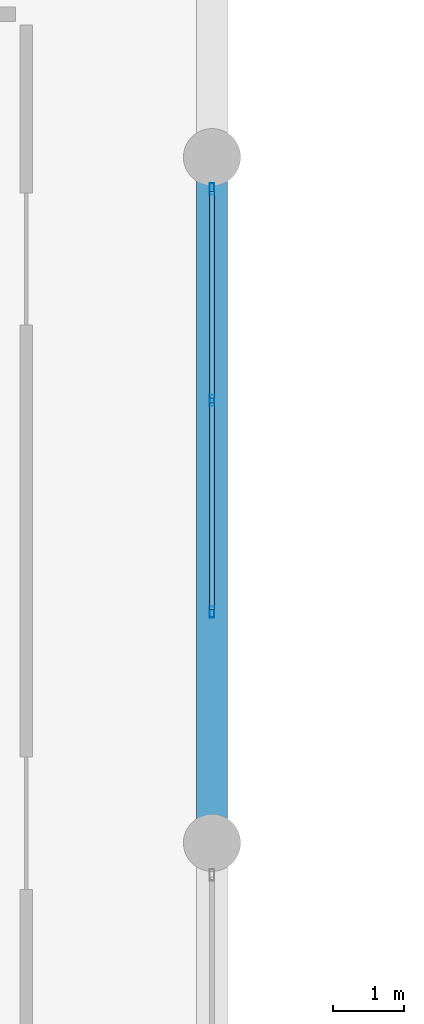
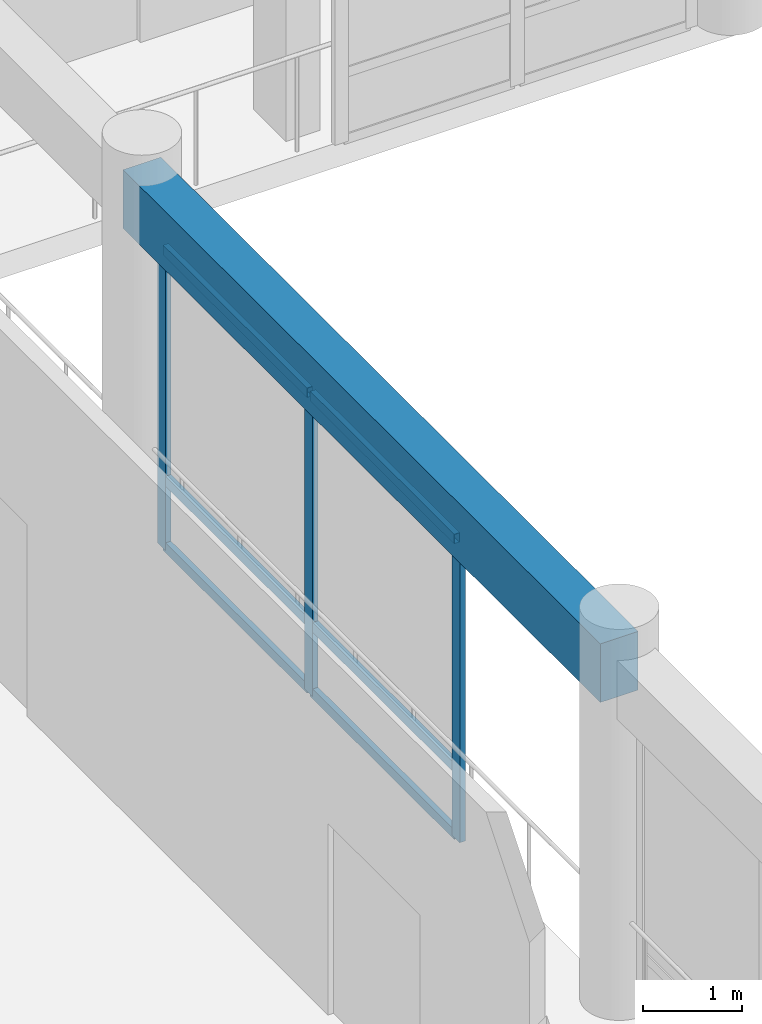
# One storey, part 34 of 133: 9 members, 1 beam, 1 element without a shape of its own.
"""IFC4 building model written with IfcOpenShell, lengths in metres."""

from ifc_helpers import new_model, si_unit, direction, frame, origin, origin_2d, place, context, subcontext, project, spatial, rectangle, hollow_rectangle, extrude, material, layer, layer_set, material_profile, profile_set, type_object, element, aggregate, save


model = new_model("IFC4")

# Units and contexts
model_context = context("Model", 3, precision=1e-05, world=origin(), true_north=direction((0.0, 1.0)))
body_context = subcontext(model_context, "Body", "Model", "MODEL_VIEW")
ifc_project = project(units=[si_unit("LENGTHUNIT", "METRE"), si_unit("AREAUNIT", "SQUARE_METRE"), si_unit("VOLUMEUNIT", "CUBIC_METRE"), si_unit("PLANEANGLEUNIT", "RADIAN"), si_unit("MASSUNIT", "GRAM", prefix="KILO")], contexts=[model_context])

# Site, building, storey
site_placement = place(None, origin())
site = spatial("IfcSite", under=ifc_project, at=site_placement, CompositionType="ELEMENT")
building_placement = place(site_placement, origin())
building = spatial("IfcBuilding", under=site, at=building_placement, Name="Nakhvara Creek Congress Hotel", CompositionType="ELEMENT")
storey_placement = place(building_placement, frame((0.0, 0.0, 11.39990234375)))
storey = spatial("IfcBuildingStorey", under=building, at=storey_placement, Name="L02", CompositionType="ELEMENT", Elevation=11.39990234375)

# Beam
ifc_material_1 = material(Name="Concrete C40/50", Category="concrete")
ifc_material_profile_1 = material_profile(ifc_material_1, rectangle(XDim=0.43994140625, YDim=0.719970703125, at=origin_2d()), Name="RC-BM 440x720", Category="LoadBearing")
ifc_profile_set_1 = profile_set([ifc_material_profile_1], Name="Concrete C40/50")
beam_type = type_object("IfcBeamType", Name="BM-RC-440X720", PredefinedType="BEAM", material=ifc_profile_set_1)
beam_placement = place(storey_placement, frame((76.800048828125, 62.39990234375, 4.06005859375), z_axis=(0.0, 1.0, 0.0), x_axis=(-1.0, 0.0, 0.0)))
element("IfcBeam", 1, at=beam_placement, inside=storey, type_object=beam_type, Name="Beam B12-L02-1459", PredefinedType="BEAM", context=body_context, shape_type="SweptSolid", body=[
    extrude(rectangle(XDim=0.43994140625, YDim=0.719970703125, at=origin_2d()), origin(), (0.0, 0.0, 1.0), 9.60009765625),
])

# Curtain wall, members
ifc_material_2 = material(Name="Bronze-anodised aluminium AW-6063-T6 and double-silver low-E glass", Category="aluminium")
ifc_layer = layer(ifc_material_2, 0.199951171875)
ifc_layer_set = layer_set([ifc_layer], Name="Bronze-anodised aluminium AW-6063-T6 and double-silver low-E glass")
curtain_wall_type = type_object("IfcCurtainWallType", Name="CW-POD-STICK", PredefinedType="NOTDEFINED", material=ifc_layer_set)
curtain_wall_placement = place(storey_placement, origin())
curtain_wall = element("IfcCurtainWall", 2, at=curtain_wall_placement, inside=storey, type_object=curtain_wall_type, Name="Curtain Wall CW047", PredefinedType="NOTDEFINED")
ifc_material_3 = material(Name="Bronze-anodised aluminium AW-6063-T6", Category="aluminium")
ifc_material_profile_2 = material_profile(ifc_material_3, hollow_rectangle(XDim=0.06494140625, YDim=0.159912109375, WallThickness=0.00390625, at=origin_2d()), Name="ALU-MULL 65x160x4", Category="LoadBearing")
ifc_profile_set_2 = profile_set([ifc_material_profile_2], Name="Bronze-anodised aluminium AW-6063-T6")
member_type_1 = type_object("IfcMemberType", Name="CW-MULL-160", PredefinedType="MULLION", material=ifc_profile_set_2)
member_1_placement = place(storey_placement, frame((76.800048828125, 71.552490234375, 0.0), z_axis=(0.0, 0.0, 1.0), x_axis=(1.0, 0.0, 0.0)))
member_1 = element("IfcMember", 3, at=member_1_placement, type_object=member_type_1, Name="CW047 mullion 1", PredefinedType="MULLION", context=body_context, shape_type="SweptSolid", body=[
    extrude(hollow_rectangle(XDim=0.06494140625, YDim=0.159912109375, WallThickness=0.00390625, at=origin_2d()), origin(), (0.0, 0.0, 1.0), 3.692138671875),
])
member_2_placement = place(storey_placement, frame((76.800048828125, 68.592529296875, 0.0), z_axis=(0.0, 0.0, 1.0), x_axis=(1.0, 0.0, 0.0)))
member_2 = element("IfcMember", 4, at=member_2_placement, type_object=member_type_1, Name="CW047 mullion 2", PredefinedType="MULLION", context=body_context, shape_type="SweptSolid", body=[
    extrude(hollow_rectangle(XDim=0.06494140625, YDim=0.159912109375, WallThickness=0.00390625, at=origin_2d()), origin(), (0.0, 0.0, 1.0), 3.692138671875),
])
member_3_placement = place(storey_placement, frame((76.800048828125, 65.632568359375, 0.0), z_axis=(0.0, 0.0, 1.0), x_axis=(1.0, 0.0, 0.0)))
member_3 = element("IfcMember", 5, at=member_3_placement, type_object=member_type_1, Name="CW047 mullion 3", PredefinedType="MULLION", context=body_context, shape_type="SweptSolid", body=[
    extrude(hollow_rectangle(XDim=0.06494140625, YDim=0.159912109375, WallThickness=0.00390625, at=origin_2d()), origin(), (0.0, 0.0, 1.0), 3.692138671875),
])
ifc_material_profile_3 = material_profile(ifc_material_3, hollow_rectangle(XDim=0.06494140625, YDim=0.1201171875, WallThickness=0.00390625, at=origin_2d()), Name="ALU-TRAN 65x120x4", Category="LoadBearing")
ifc_profile_set_3 = profile_set([ifc_material_profile_3], Name="Bronze-anodised aluminium AW-6063-T6")
member_type_2 = type_object("IfcMemberType", Name="CW-TRAN-120", PredefinedType="USERDEFINED", material=ifc_profile_set_3)
member_4_placement = place(storey_placement, frame((76.800048828125, 71.52001953125, 0.03271484375), z_axis=(0.0, -1.0, 0.0), x_axis=(1.0, 0.0, 0.0)))
member_4 = element("IfcMember", 6, at=member_4_placement, type_object=member_type_2, Name="CW047 transom 1.1", ObjectType="TRANSOM", PredefinedType="USERDEFINED", context=body_context, shape_type="SweptSolid", body=[
    extrude(hollow_rectangle(XDim=0.06494140625, YDim=0.1201171875, WallThickness=0.00390625, at=origin_2d()), origin(), (0.0, 0.0, 1.0), 2.89501953125),
])
member_5_placement = place(storey_placement, frame((76.800048828125, 71.52001953125, 0.85009765625), z_axis=(0.0, -1.0, 0.0), x_axis=(1.0, 0.0, 0.0)))
member_5 = element("IfcMember", 7, at=member_5_placement, type_object=member_type_2, Name="CW047 transom 1.2", ObjectType="TRANSOM", PredefinedType="USERDEFINED", context=body_context, shape_type="SweptSolid", body=[
    extrude(hollow_rectangle(XDim=0.06494140625, YDim=0.1201171875, WallThickness=0.00390625, at=origin_2d()), origin(), (0.0, 0.0, 1.0), 2.89501953125),
])
member_6_placement = place(storey_placement, frame((76.800048828125, 71.52001953125, 3.65966796875), z_axis=(0.0, -1.0, 0.0), x_axis=(1.0, 0.0, 0.0)))
member_6 = element("IfcMember", 8, at=member_6_placement, type_object=member_type_2, Name="CW047 transom 1.3", ObjectType="TRANSOM", PredefinedType="USERDEFINED", context=body_context, shape_type="SweptSolid", body=[
    extrude(hollow_rectangle(XDim=0.06494140625, YDim=0.1201171875, WallThickness=0.00390625, at=origin_2d()), origin(), (0.0, 0.0, 1.0), 2.89501953125),
])
member_7_placement = place(storey_placement, frame((76.800048828125, 68.56005859375, 0.03271484375), z_axis=(0.0, -1.0, 0.0), x_axis=(1.0, 0.0, 0.0)))
member_7 = element("IfcMember", 9, at=member_7_placement, type_object=member_type_2, Name="CW047 transom 2.1", ObjectType="TRANSOM", PredefinedType="USERDEFINED", context=body_context, shape_type="SweptSolid", body=[
    extrude(hollow_rectangle(XDim=0.06494140625, YDim=0.1201171875, WallThickness=0.00390625, at=origin_2d()), origin(), (0.0, 0.0, 1.0), 2.89501953125),
])
member_8_placement = place(storey_placement, frame((76.800048828125, 68.56005859375, 0.85009765625), z_axis=(0.0, -1.0, 0.0), x_axis=(1.0, 0.0, 0.0)))
member_8 = element("IfcMember", 10, at=member_8_placement, type_object=member_type_2, Name="CW047 transom 2.2", ObjectType="TRANSOM", PredefinedType="USERDEFINED", context=body_context, shape_type="SweptSolid", body=[
    extrude(hollow_rectangle(XDim=0.06494140625, YDim=0.1201171875, WallThickness=0.00390625, at=origin_2d()), origin(), (0.0, 0.0, 1.0), 2.89501953125),
])
member_9_placement = place(storey_placement, frame((76.800048828125, 68.56005859375, 3.65966796875), z_axis=(0.0, -1.0, 0.0), x_axis=(1.0, 0.0, 0.0)))
member_9 = element("IfcMember", 11, at=member_9_placement, type_object=member_type_2, Name="CW047 transom 2.3", ObjectType="TRANSOM", PredefinedType="USERDEFINED", context=body_context, shape_type="SweptSolid", body=[
    extrude(hollow_rectangle(XDim=0.06494140625, YDim=0.1201171875, WallThickness=0.00390625, at=origin_2d()), origin(), (0.0, 0.0, 1.0), 2.89501953125),
])
aggregate(curtain_wall, [member_1, member_2, member_3, member_4, member_5, member_6, member_7, member_8, member_9])

save(model, "model.ifc")
